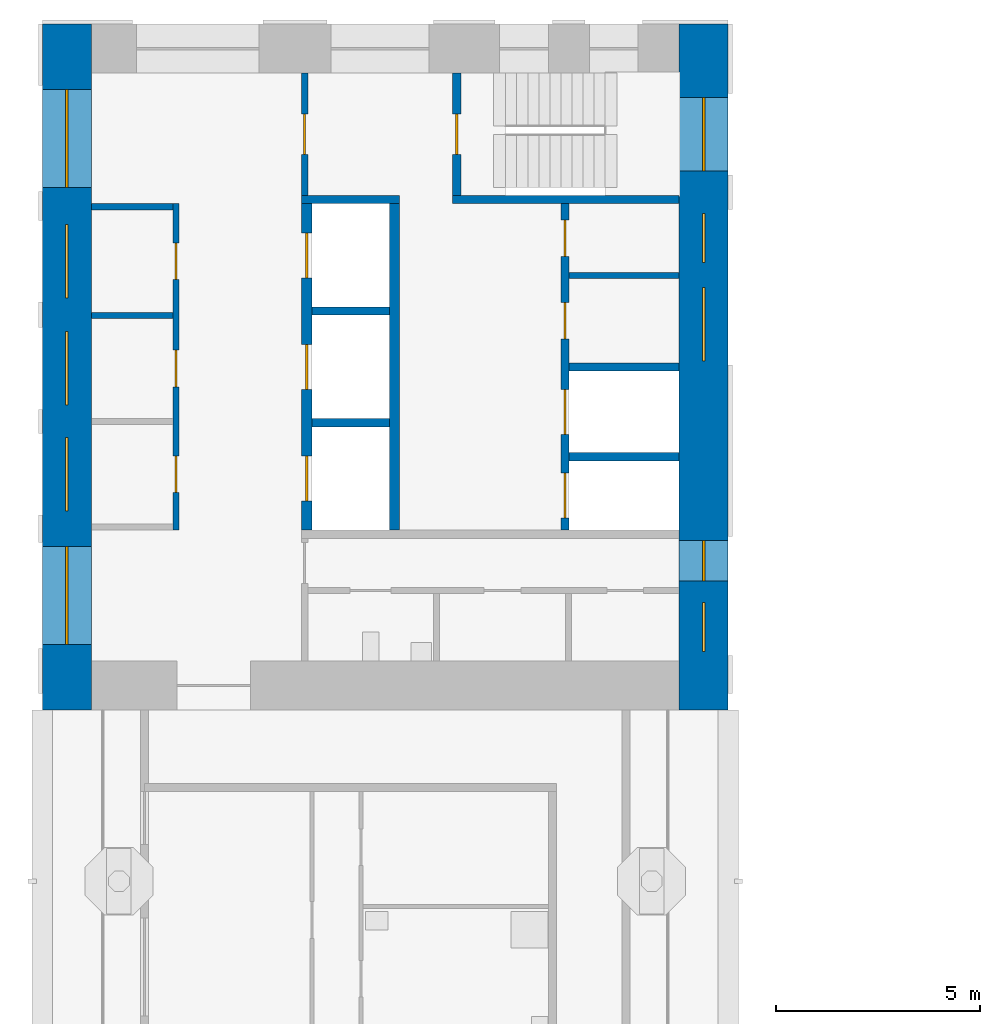
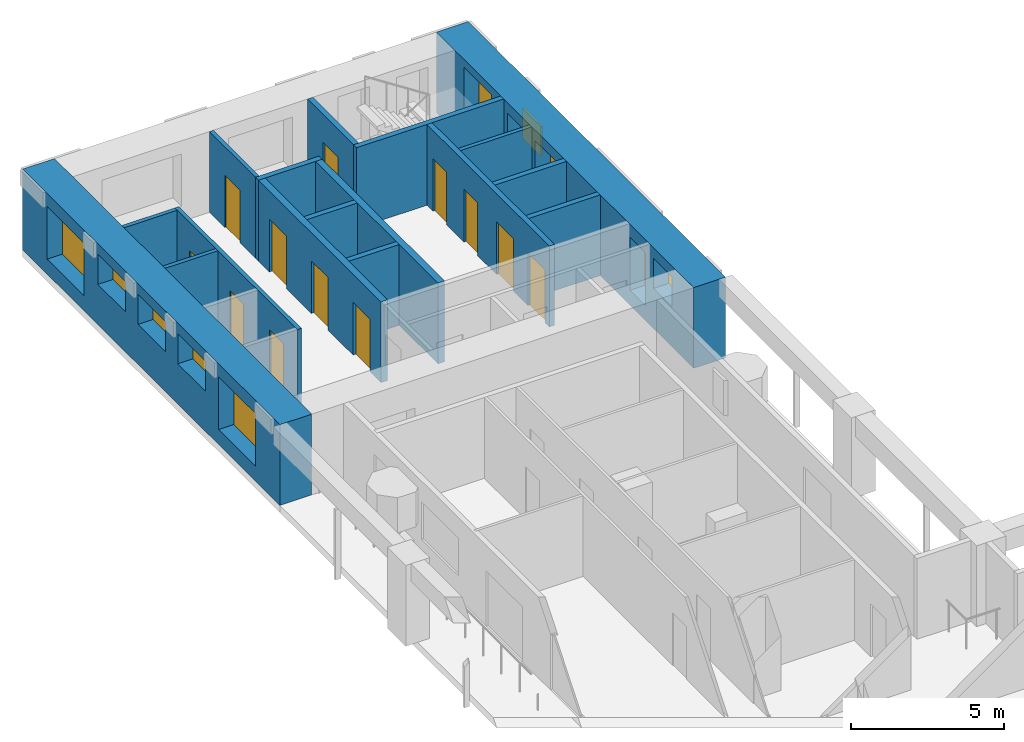
# One storey, part 6 of 13: 17 walls, 12 doors, 10 windows, 22 openings.
"""IFC4 building model written with IfcOpenShell, lengths in metres."""

from ifc_helpers import new_model, si_unit, direction, frame, frame_2d, origin, place, context, subcontext, project, spatial, rectangle, extrude, material, layer, layer_set, type_object, element, fill, save


model = new_model("IFC4")

# Units and contexts
model_context = context("Model", 3, precision=1e-05, world=origin(), true_north=direction((0.0, 1.0)))
body_context = subcontext(model_context, "Body", "Model", "MODEL_VIEW")
ifc_project = project(units=[si_unit("LENGTHUNIT", "METRE"), si_unit("AREAUNIT", "SQUARE_METRE"), si_unit("VOLUMEUNIT", "CUBIC_METRE"), si_unit("PLANEANGLEUNIT", "RADIAN"), si_unit("MASSUNIT", "GRAM", prefix="KILO")], contexts=[model_context])

# Site, building, storey
site_placement = place(None, origin())
site = spatial("IfcSite", under=ifc_project, at=site_placement, CompositionType="ELEMENT")
building_placement = place(site_placement, origin())
building = spatial("IfcBuilding", under=site, at=building_placement, Name="Vermilion Gate Residences", CompositionType="ELEMENT")
storey_placement = place(building_placement, frame((0.0, 0.0, 193.199951171875)))
storey = spatial("IfcBuildingStorey", under=building, at=storey_placement, Name="L50", CompositionType="ELEMENT", Elevation=193.199951171875)

# Walls
ifc_material_1 = material(Name="Masonry blockwork", Category="masonry")
ifc_layer_1 = layer(ifc_material_1, 0.14990234375)
ifc_layer_set_1 = layer_set([ifc_layer_1], Name="BLOCKWORK PARTITION 150 EI 120")
wall_type_1 = type_object("IfcWallType", Name="BLOCKWORK PARTITION 150 EI 120", PredefinedType="PARTITIONING", material=ifc_layer_set_1)
for number, where, z_axis, x_axis, name in (
    (1, (9.60009765625, 54.324951171875, 0.0), (0.0, 0.0, 1.0), (1.0, 0.0, 0.0), "Core room partition B50-RW-W"),
    (2, (9.60009765625, 51.658935546875, 0.0), (0.0, 0.0, 1.0), (1.0, 0.0, 0.0), "Core room partition B50-SR-P0"),
):
    element("IfcWall", number, at=place(storey_placement, frame(where, z_axis=z_axis, x_axis=x_axis)), inside=storey, type_object=wall_type_1, Name=name, PredefinedType="PARTITIONING", context=body_context, shape_type="SweptSolid", body=[
        extrude(rectangle(XDim=2.0, YDim=0.14990234375, at=frame_2d((1.0, 0.0))), origin(), (0.0, 0.0, 1.0), 3.219970703125),
    ])

# Wall, openings, doors
wall_1_placement = place(storey_placement, frame((11.675048828125, 54.39990234375, 0.0), z_axis=(0.0, 0.0, 1.0), x_axis=(0.0, -1.0, 0.0)))
wall_1 = element("IfcWall", 3, at=wall_1_placement, inside=storey, type_object=wall_type_1, Name="Core room partition B50-LR-F", PredefinedType="PARTITIONING", context=body_context, shape_type="SweptSolid", body=[
    extrude(rectangle(XDim=8.0, YDim=0.14990234375, at=frame_2d((4.0, 0.0))), origin(), (0.0, 0.0, 1.0), 3.219970703125),
])
opening_1_placement = place(wall_1_placement, frame((0.9580078125, 0.0, 0.0)))
opening_1 = element("IfcOpeningElement", 4, at=opening_1_placement, cuts=wall_1, Name="Opening DK50102", PredefinedType="OPENING", context=body_context, shape_type="SweptSolid", body=[
    extrude(rectangle(XDim=0.89990234375, YDim=2.10009765625, at=frame_2d((0.449951171875, 1.050048828125))), frame((0.0, 0.0849609375, 0.0), z_axis=(0.0, -1.0, 0.0), x_axis=(1.0, 0.0, 0.0)), (0.0, 0.0, 1.0), 0.169921875),
])
opening_2_placement = place(wall_1_placement, frame((3.5869140625, 0.0, 0.0)))
opening_2 = element("IfcOpeningElement", 5, at=opening_2_placement, cuts=wall_1, Name="Opening DK50103", PredefinedType="OPENING", context=body_context, shape_type="SweptSolid", body=[
    extrude(rectangle(XDim=0.89990234375, YDim=2.10009765625, at=frame_2d((0.449951171875, 1.050048828125))), frame((0.0, 0.0849609375, 0.0), z_axis=(0.0, -1.0, 0.0), x_axis=(1.0, 0.0, 0.0)), (0.0, 0.0, 1.0), 0.169921875),
])
opening_3_placement = place(wall_1_placement, frame((6.178955078125, 0.0, 0.0)))
opening_3 = element("IfcOpeningElement", 6, at=opening_3_placement, cuts=wall_1, Name="Opening DK50104", PredefinedType="OPENING", context=body_context, shape_type="SweptSolid", body=[
    extrude(rectangle(XDim=0.89990234375, YDim=2.10009765625, at=frame_2d((0.449951171875, 1.050048828125))), frame((0.0, 0.0849609375, 0.0), z_axis=(0.0, -1.0, 0.0), x_axis=(1.0, 0.0, 0.0)), (0.0, 0.0, 1.0), 0.169921875),
])
ifc_material_2 = material(Name="Steel", Category="steel")
door_type_1 = type_object("IfcDoorType", Name="SERVICE ROOM DOOR FD60 900 X 2100", OperationType="SINGLE_SWING_LEFT", PredefinedType="DOOR", material=ifc_material_2)
door_1_placement = place(opening_1_placement, origin())
door_1 = element("IfcDoor", 7, at=door_1_placement, inside=storey, type_object=door_type_1, Name="Electrical room B50", OperationType="SINGLE_SWING_LEFT", OverallHeight=2.10009765625, OverallWidth=0.89990234375, PredefinedType="DOOR", context=body_context, shape_type="SweptSolid", body=[
    extrude(rectangle(XDim=0.89990234375, YDim=2.10009765625, at=frame_2d((0.449951171875, 1.050048828125))), frame((0.0, 0.02490234375, 0.0), z_axis=(0.0, -1.0, 0.0), x_axis=(1.0, 0.0, 0.0)), (0.0, 0.0, 1.0), 0.050048828125),
])
fill(opening_1, door_1)
door_2_placement = place(opening_2_placement, frame((0.89990234375, 0.0, 0.0), z_axis=(0.0, 0.0, 1.0), x_axis=(-1.0, 0.0, 0.0)))
door_2 = element("IfcDoor", 8, at=door_2_placement, inside=storey, type_object=door_type_1, Name="Communications room B50", OperationType="SINGLE_SWING_LEFT", OverallHeight=2.10009765625, OverallWidth=0.89990234375, PredefinedType="DOOR", context=body_context, shape_type="SweptSolid", body=[
    extrude(rectangle(XDim=0.89990234375, YDim=2.10009765625, at=frame_2d((0.449951171875, 1.050048828125))), frame((0.0, 0.02490234375, 0.0), z_axis=(0.0, -1.0, 0.0), x_axis=(1.0, 0.0, 0.0)), (0.0, 0.0, 1.0), 0.050048828125),
])
fill(opening_2, door_2)
door_3_placement = place(opening_3_placement, frame((0.89990234375, 0.0, 0.0), z_axis=(0.0, 0.0, 1.0), x_axis=(-1.0, 0.0, 0.0)))
door_3 = element("IfcDoor", 9, at=door_3_placement, inside=storey, type_object=door_type_1, Name="Refuse room B50", OperationType="SINGLE_SWING_LEFT", OverallHeight=2.10009765625, OverallWidth=0.89990234375, PredefinedType="DOOR", context=body_context, shape_type="SweptSolid", body=[
    extrude(rectangle(XDim=0.89990234375, YDim=2.10009765625, at=frame_2d((0.449951171875, 1.050048828125))), frame((0.0, 0.02490234375, 0.0), z_axis=(0.0, -1.0, 0.0), x_axis=(1.0, 0.0, 0.0)), (0.0, 0.0, 1.0), 0.050048828125),
])
fill(opening_3, door_3)

# Wall
wall_2_placement = place(storey_placement, frame((21.300048828125, 52.637451171875, 0.0), z_axis=(0.0, 0.0, 1.0), x_axis=(1.0, 0.0, 0.0)))
element("IfcWall", 10, at=wall_2_placement, inside=storey, type_object=wall_type_1, Name="Core room partition B50-NR-P0", PredefinedType="PARTITIONING", context=body_context, shape_type="SweptSolid", body=[
    extrude(rectangle(XDim=2.699951171875, YDim=0.14990234375, at=frame_2d((1.35009765625, 0.0))), origin(), (0.0, 0.0, 1.0), 3.219970703125),
])

# Wall, opening, door
wall_3_placement = place(storey_placement, frame((14.824951171875, 57.60009765625, 0.0), z_axis=(0.0, 0.0, 1.0), x_axis=(0.0, -1.0, 0.0)))
wall_3 = element("IfcWall", 11, at=wall_3_placement, inside=storey, type_object=wall_type_1, Name="Core room partition B50-VW-S", PredefinedType="PARTITIONING", context=body_context, shape_type="SweptSolid", body=[
    extrude(rectangle(XDim=3.0, YDim=0.14990234375, at=frame_2d((1.5, 0.0))), origin(), (0.0, 0.0, 1.0), 3.219970703125),
])
opening_4_placement = place(wall_3_placement, frame((1.0, 0.0, 0.0)))
opening_4 = element("IfcOpeningElement", 12, at=opening_4_placement, cuts=wall_3, Name="Opening DK50112", PredefinedType="OPENING", context=body_context, shape_type="SweptSolid", body=[
    extrude(rectangle(XDim=1.0, YDim=2.10009765625, at=frame_2d((0.5, 1.050048828125))), frame((0.0, 0.0849609375, 0.0), z_axis=(0.0, -1.0, 0.0), x_axis=(1.0, 0.0, 0.0)), (0.0, 0.0, 1.0), 0.169921875),
])
ifc_material_3 = material(Name="Steel", Category="steel")
door_type_2 = type_object("IfcDoorType", Name="FIRE DOOR FD60 1000 X 2100", OperationType="SINGLE_SWING_LEFT", PredefinedType="DOOR", material=ifc_material_3)
door_4_placement = place(opening_4_placement, frame((1.0, 0.0, 0.0), z_axis=(0.0, 0.0, 1.0), x_axis=(-1.0, 0.0, 0.0)))
door_4 = element("IfcDoor", 13, at=door_4_placement, inside=storey, type_object=door_type_2, Name="Stair vestibule door B50", OperationType="SINGLE_SWING_RIGHT", OverallHeight=2.10009765625, OverallWidth=1.0, PredefinedType="DOOR", context=body_context, shape_type="SweptSolid", body=[
    extrude(rectangle(XDim=1.0, YDim=2.10009765625, at=frame_2d((0.5, 1.050048828125))), frame((0.0, 0.02490234375, 0.0), z_axis=(0.0, -1.0, 0.0), x_axis=(1.0, 0.0, 0.0)), (0.0, 0.0, 1.0), 0.050048828125),
])
fill(opening_4, door_4)

# Walls
ifc_material_4 = material(Name="Concrete C60", Category="concrete")
ifc_layer_2 = layer(ifc_material_4, 0.199951171875)
ifc_layer_set_2 = layer_set([ifc_layer_2], Name="RC CORE INTERNAL WALL 200 C60")
wall_type_2 = type_object("IfcWallType", Name="RC CORE INTERNAL WALL 200 C60", PredefinedType="SHEAR", material=ifc_layer_set_2)
for number, where, z_axis, x_axis, name in (
    (14, (15.0, 51.7666015625, 0.0), (0.0, 0.0, 1.0), (1.0, 0.0, 0.0), "Core internal wall B50-HR-D1"),
    (15, (15.0, 49.033447265625, 0.0), (0.0, 0.0, 1.0), (1.0, 0.0, 0.0), "Core internal wall B50-HR-D2"),
):
    element("IfcWall", number, at=place(storey_placement, frame(where, z_axis=z_axis, x_axis=x_axis)), inside=storey, type_object=wall_type_2, Name=name, PredefinedType="SHEAR", context=body_context, shape_type="SweptSolid", body=[
        extrude(rectangle(XDim=1.89990234375, YDim=0.199951171875, at=frame_2d((0.949951171875, 0.0))), origin(), (0.0, 0.0, 1.0), 3.219970703125),
    ])
for number, where, z_axis, x_axis, name in (
    (16, (21.300048828125, 50.39990234375, 0.0), (0.0, 0.0, 1.0), (1.0, 0.0, 0.0), "Core internal wall B50-FF-D0"),
    (17, (21.300048828125, 48.199951171875, 0.0), (0.0, 0.0, 1.0), (1.0, 0.0, 0.0), "Core internal wall B50-FF-D1"),
):
    element("IfcWall", number, at=place(storey_placement, frame(where, z_axis=z_axis, x_axis=x_axis)), inside=storey, type_object=wall_type_2, Name=name, PredefinedType="SHEAR", context=body_context, shape_type="SweptSolid", body=[
        extrude(rectangle(XDim=2.699951171875, YDim=0.199951171875, at=frame_2d((1.35009765625, 0.0))), origin(), (0.0, 0.0, 1.0), 3.219970703125),
    ])

# Wall, openings, doors
wall_4_placement = place(storey_placement, frame((21.199951171875, 54.39990234375, 0.0), z_axis=(0.0, 0.0, 1.0), x_axis=(0.0, -1.0, 0.0)))
wall_4 = element("IfcWall", 18, at=wall_4_placement, inside=storey, type_object=wall_type_2, Name="Core internal wall B50-FF-F", PredefinedType="SHEAR", context=body_context, shape_type="SweptSolid", body=[
    extrude(rectangle(XDim=8.0, YDim=0.199951171875, at=frame_2d((4.0, 0.0))), origin(), (0.0, 0.0, 1.0), 3.219970703125),
])
opening_5_placement = place(wall_4_placement, frame((0.393798828125, 0.0, 0.0)))
opening_5 = element("IfcOpeningElement", 19, at=opening_5_placement, cuts=wall_4, Name="Opening DK50108", PredefinedType="OPENING", context=body_context, shape_type="SweptSolid", body=[
    extrude(rectangle(XDim=0.89990234375, YDim=2.10009765625, at=frame_2d((0.449951171875, 1.050048828125))), frame((0.0, 0.10986328125, 0.0), z_axis=(0.0, -1.0, 0.0), x_axis=(1.0, 0.0, 0.0)), (0.0, 0.0, 1.0), 0.219970703125),
])
opening_6_placement = place(wall_4_placement, frame((2.418701171875, 0.0, 0.0)))
opening_6 = element("IfcOpeningElement", 20, at=opening_6_placement, cuts=wall_4, Name="Opening DK50109", PredefinedType="OPENING", context=body_context, shape_type="SweptSolid", body=[
    extrude(rectangle(XDim=0.89990234375, YDim=2.10009765625, at=frame_2d((0.449951171875, 1.050048828125))), frame((0.0, 0.10986328125, 0.0), z_axis=(0.0, -1.0, 0.0), x_axis=(1.0, 0.0, 0.0)), (0.0, 0.0, 1.0), 0.219970703125),
])
opening_7_placement = place(wall_4_placement, frame((4.550048828125, 0.0, 0.0)))
opening_7 = element("IfcOpeningElement", 21, at=opening_7_placement, cuts=wall_4, Name="Opening LD", PredefinedType="OPENING", context=body_context, shape_type="SweptSolid", body=[
    extrude(rectangle(XDim=1.10009765625, YDim=2.10009765625, at=frame_2d((0.550048828125, 1.050048828125))), frame((0.0, 0.10986328125, 0.0), z_axis=(0.0, -1.0, 0.0), x_axis=(1.0, 0.0, 0.0)), (0.0, 0.0, 1.0), 0.219970703125),
])
opening_8_placement = place(wall_4_placement, frame((6.60009765625, 0.0, 0.0)))
opening_8 = element("IfcOpeningElement", 22, at=opening_8_placement, cuts=wall_4, Name="Opening LD", PredefinedType="OPENING", context=body_context, shape_type="SweptSolid", body=[
    extrude(rectangle(XDim=1.10009765625, YDim=2.10009765625, at=frame_2d((0.550048828125, 1.050048828125))), frame((0.0, 0.10986328125, 0.0), z_axis=(0.0, -1.0, 0.0), x_axis=(1.0, 0.0, 0.0)), (0.0, 0.0, 1.0), 0.219970703125),
])
ifc_material_5 = material(Name="Stainless steel", Category="steel")
door_type_3 = type_object("IfcDoorType", Name="LIFT LANDING DOOR E60 1100 X 2100", OperationType="DOUBLE_DOOR_SLIDING", PredefinedType="DOOR", material=ifc_material_5)
door_5_placement = place(opening_7_placement, origin())
door_5 = element("IfcDoor", 23, at=door_5_placement, inside=storey, type_object=door_type_3, Name="Lift landing door LFB1", OperationType="DOUBLE_DOOR_SLIDING", OverallHeight=2.10009765625, OverallWidth=1.10009765625, PredefinedType="DOOR", context=body_context, shape_type="SweptSolid", body=[
    extrude(rectangle(XDim=1.10009765625, YDim=2.10009765625, at=frame_2d((0.550048828125, 1.050048828125))), frame((0.0, 0.02490234375, 0.0), z_axis=(0.0, -1.0, 0.0), x_axis=(1.0, 0.0, 0.0)), (0.0, 0.0, 1.0), 0.050048828125),
])
fill(opening_7, door_5)
door_6_placement = place(opening_8_placement, origin())
door_6 = element("IfcDoor", 24, at=door_6_placement, inside=storey, type_object=door_type_3, Name="Lift landing door LCB1", OperationType="DOUBLE_DOOR_SLIDING", OverallHeight=2.10009765625, OverallWidth=1.10009765625, PredefinedType="DOOR", context=body_context, shape_type="SweptSolid", body=[
    extrude(rectangle(XDim=1.10009765625, YDim=2.10009765625, at=frame_2d((0.550048828125, 1.050048828125))), frame((0.0, 0.02490234375, 0.0), z_axis=(0.0, -1.0, 0.0), x_axis=(1.0, 0.0, 0.0)), (0.0, 0.0, 1.0), 0.050048828125),
])
fill(opening_8, door_6)
door_7_placement = place(opening_5_placement, origin())
door_7 = element("IfcDoor", 25, at=door_7_placement, inside=storey, type_object=door_type_1, Name="Electrical riser B50", OperationType="SINGLE_SWING_RIGHT", OverallHeight=2.10009765625, OverallWidth=0.89990234375, PredefinedType="DOOR", context=body_context, shape_type="SweptSolid", body=[
    extrude(rectangle(XDim=0.89990234375, YDim=2.10009765625, at=frame_2d((0.449951171875, 1.050048828125))), frame((0.0, 0.02490234375, 0.0), z_axis=(0.0, -1.0, 0.0), x_axis=(1.0, 0.0, 0.0)), (0.0, 0.0, 1.0), 0.050048828125),
])
fill(opening_5, door_7)
door_8_placement = place(opening_6_placement, origin())
door_8 = element("IfcDoor", 26, at=door_8_placement, inside=storey, type_object=door_type_1, Name="Cleaner's store B50", OperationType="SINGLE_SWING_RIGHT", OverallHeight=2.10009765625, OverallWidth=0.89990234375, PredefinedType="DOOR", context=body_context, shape_type="SweptSolid", body=[
    extrude(rectangle(XDim=0.89990234375, YDim=2.10009765625, at=frame_2d((0.449951171875, 1.050048828125))), frame((0.0, 0.02490234375, 0.0), z_axis=(0.0, -1.0, 0.0), x_axis=(1.0, 0.0, 0.0)), (0.0, 0.0, 1.0), 0.050048828125),
])
fill(opening_6, door_8)

# Walls
wall_5_placement = place(storey_placement, frame((14.75, 54.5, 0.0), z_axis=(0.0, 0.0, 1.0), x_axis=(1.0, 0.0, 0.0)))
element("IfcWall", 27, at=wall_5_placement, inside=storey, type_object=wall_type_2, Name="Core internal wall B50-WDIV1", PredefinedType="SHEAR", context=body_context, shape_type="SweptSolid", body=[
    extrude(rectangle(XDim=2.39990234375, YDim=0.199951171875, at=frame_2d((1.199951171875, 0.0))), origin(), (0.0, 0.0, 1.0), 3.219970703125),
])
wall_6_placement = place(storey_placement, frame((18.449951171875, 54.5, 0.0), z_axis=(0.0, 0.0, 1.0), x_axis=(1.0, 0.0, 0.0)))
element("IfcWall", 28, at=wall_6_placement, inside=storey, type_object=wall_type_2, Name="Core internal wall B50-WDIV2", PredefinedType="SHEAR", context=body_context, shape_type="SweptSolid", body=[
    extrude(rectangle(XDim=5.550048828125, YDim=0.199951171875, at=frame_2d((2.77490234375, 0.0))), origin(), (0.0, 0.0, 1.0), 3.219970703125),
])

# Wall, opening, door
wall_7_placement = place(storey_placement, frame((18.550048828125, 57.60009765625, 0.0), z_axis=(0.0, 0.0, 1.0), x_axis=(0.0, -1.0, 0.0)))
wall_7 = element("IfcWall", 29, at=wall_7_placement, inside=storey, type_object=wall_type_2, Name="Core internal wall B50-STW-S", PredefinedType="SHEAR", context=body_context, shape_type="SweptSolid", body=[
    extrude(rectangle(XDim=3.0, YDim=0.199951171875, at=frame_2d((1.5, 0.0))), origin(), (0.0, 0.0, 1.0), 3.219970703125),
])
opening_9_placement = place(wall_7_placement, frame((1.0, 0.0, 0.0)))
opening_9 = element("IfcOpeningElement", 30, at=opening_9_placement, cuts=wall_7, Name="Opening DK50113", PredefinedType="OPENING", context=body_context, shape_type="SweptSolid", body=[
    extrude(rectangle(XDim=1.0, YDim=2.10009765625, at=frame_2d((0.5, 1.050048828125))), frame((0.0, 0.10986328125, 0.0), z_axis=(0.0, -1.0, 0.0), x_axis=(1.0, 0.0, 0.0)), (0.0, 0.0, 1.0), 0.219970703125),
])
door_9_placement = place(opening_9_placement, origin())
door_9 = element("IfcDoor", 31, at=door_9_placement, inside=storey, type_object=door_type_2, Name="Stair door B50", OperationType="SINGLE_SWING_LEFT", OverallHeight=2.10009765625, OverallWidth=1.0, PredefinedType="DOOR", context=body_context, shape_type="SweptSolid", body=[
    extrude(rectangle(XDim=1.0, YDim=2.10009765625, at=frame_2d((0.5, 1.050048828125))), frame((0.0, 0.02490234375, 0.0), z_axis=(0.0, -1.0, 0.0), x_axis=(1.0, 0.0, 0.0)), (0.0, 0.0, 1.0), 0.050048828125),
])
fill(opening_9, door_9)

# Wall, openings, windows
ifc_material_6 = material(Name="Concrete C60 red-oxide pigmented", Category="concrete")
ifc_layer_3 = layer(ifc_material_6, 1.199951171875)
ifc_layer_set_3 = layer_set([ifc_layer_3], Name="RC CORE WALL 1200 C60 RED OXIDE")
wall_type_3 = type_object("IfcWallType", Name="RC CORE WALL 1200 C60 RED OXIDE", PredefinedType="SHEAR", material=ifc_layer_set_3)
wall_8_placement = place(storey_placement, frame((9.0, 58.800048828125, 0.0), z_axis=(0.0, 0.0, 1.0), x_axis=(0.0, -1.0, 0.0)))
wall_8 = element("IfcWall", 32, at=wall_8_placement, inside=storey, type_object=wall_type_3, Name="Core wall B50-OUT-B0", PredefinedType="SHEAR", context=body_context, shape_type="SweptSolid", body=[
    extrude(rectangle(XDim=16.800048828125, YDim=1.199951171875, at=frame_2d((8.39990234375, 0.0))), origin(), (0.0, 0.0, 1.0), 3.219970703125),
])
opening_10_placement = place(wall_8_placement, frame((1.60009765625, 0.0, 0.60009765625)))
opening_10 = element("IfcOpeningElement", 33, at=opening_10_placement, cuts=wall_8, Name="Opening WKB5001", PredefinedType="OPENING", context=body_context, shape_type="SweptSolid", body=[
    extrude(rectangle(XDim=2.39990234375, YDim=2.10009765625, at=frame_2d((1.199951171875, 1.050048828125))), frame((0.0, 0.60986328125, 0.0), z_axis=(0.0, -1.0, 0.0), x_axis=(1.0, 0.0, 0.0)), (0.0, 0.0, 1.0), 1.219970703125),
])
opening_11_placement = place(wall_8_placement, frame((4.907958984375, 0.0, 1.60009765625)))
opening_11 = element("IfcOpeningElement", 34, at=opening_11_placement, cuts=wall_8, Name="Opening WKB5002", PredefinedType="OPENING", context=body_context, shape_type="SweptSolid", body=[
    extrude(rectangle(XDim=1.800048828125, YDim=1.199951171875, at=frame_2d((0.89990234375, 0.60009765625))), frame((0.0, 0.60986328125, 0.0), z_axis=(0.0, -1.0, 0.0), x_axis=(1.0, 0.0, 0.0)), (0.0, 0.0, 1.0), 1.219970703125),
])
opening_12_placement = place(wall_8_placement, frame((7.537109375, 0.0, 1.60009765625)))
opening_12 = element("IfcOpeningElement", 35, at=opening_12_placement, cuts=wall_8, Name="Opening WKB5003", PredefinedType="OPENING", context=body_context, shape_type="SweptSolid", body=[
    extrude(rectangle(XDim=1.800048828125, YDim=1.199951171875, at=frame_2d((0.89990234375, 0.60009765625))), frame((0.0, 0.60986328125, 0.0), z_axis=(0.0, -1.0, 0.0), x_axis=(1.0, 0.0, 0.0)), (0.0, 0.0, 1.0), 1.219970703125),
])
opening_13_placement = place(wall_8_placement, frame((10.12890625, 0.0, 1.60009765625)))
opening_13 = element("IfcOpeningElement", 36, at=opening_13_placement, cuts=wall_8, Name="Opening WKB5004", PredefinedType="OPENING", context=body_context, shape_type="SweptSolid", body=[
    extrude(rectangle(XDim=1.800048828125, YDim=1.199951171875, at=frame_2d((0.89990234375, 0.60009765625))), frame((0.0, 0.60986328125, 0.0), z_axis=(0.0, -1.0, 0.0), x_axis=(1.0, 0.0, 0.0)), (0.0, 0.0, 1.0), 1.219970703125),
])
opening_14_placement = place(wall_8_placement, frame((12.800048828125, 0.0, 0.60009765625)))
opening_14 = element("IfcOpeningElement", 37, at=opening_14_placement, cuts=wall_8, Name="Opening WKB5005", PredefinedType="OPENING", context=body_context, shape_type="SweptSolid", body=[
    extrude(rectangle(XDim=2.39990234375, YDim=2.10009765625, at=frame_2d((1.199951171875, 1.050048828125))), frame((0.0, 0.60986328125, 0.0), z_axis=(0.0, -1.0, 0.0), x_axis=(1.0, 0.0, 0.0)), (0.0, 0.0, 1.0), 1.219970703125),
])
ifc_material_7 = material(Name="Aluminium and clear glass", Category="aluminium")
window_type_1 = type_object("IfcWindowType", Name="CORE LOBBY WINDOW 2400 X 2100", PartitioningType="SINGLE_PANEL", PredefinedType="WINDOW", material=ifc_material_7)
window_1_placement = place(opening_10_placement, origin())
window_1 = element("IfcWindow", 38, at=window_1_placement, inside=storey, type_object=window_type_1, Name="Core lobby window", OverallHeight=2.10009765625, OverallWidth=2.39990234375, PartitioningType="SINGLE_PANEL", PredefinedType="WINDOW", context=body_context, shape_type="SweptSolid", body=[
    extrude(rectangle(XDim=2.39990234375, YDim=2.10009765625, at=frame_2d((1.199951171875, 1.050048828125))), frame((0.0, 0.030029296875, 0.0), z_axis=(0.0, -1.0, 0.0), x_axis=(1.0, 0.0, 0.0)), (0.0, 0.0, 1.0), 0.06005859375),
])
fill(opening_10, window_1)
window_2_placement = place(opening_14_placement, origin())
window_2 = element("IfcWindow", 39, at=window_2_placement, inside=storey, type_object=window_type_1, Name="Core lobby window", OverallHeight=2.10009765625, OverallWidth=2.39990234375, PartitioningType="SINGLE_PANEL", PredefinedType="WINDOW", context=body_context, shape_type="SweptSolid", body=[
    extrude(rectangle(XDim=2.39990234375, YDim=2.10009765625, at=frame_2d((1.199951171875, 1.050048828125))), frame((0.0, 0.030029296875, 0.0), z_axis=(0.0, -1.0, 0.0), x_axis=(1.0, 0.0, 0.0)), (0.0, 0.0, 1.0), 0.06005859375),
])
fill(opening_14, window_2)
ifc_material_8 = material(Name="Aluminium frame with louvre blades", Category="aluminium")
window_type_2 = type_object("IfcWindowType", Name="CORE LOUVRE 1800 X 1200", PartitioningType="SINGLE_PANEL", PredefinedType="WINDOW", material=ifc_material_8)
window_3_placement = place(opening_11_placement, origin())
window_3 = element("IfcWindow", 40, at=window_3_placement, inside=storey, type_object=window_type_2, Name="Core louvre", OverallHeight=1.199951171875, OverallWidth=1.800048828125, PartitioningType="SINGLE_PANEL", PredefinedType="WINDOW", context=body_context, shape_type="SweptSolid", body=[
    extrude(rectangle(XDim=1.800048828125, YDim=1.199951171875, at=frame_2d((0.89990234375, 0.60009765625))), frame((0.0, 0.030029296875, 0.0), z_axis=(0.0, -1.0, 0.0), x_axis=(1.0, 0.0, 0.0)), (0.0, 0.0, 1.0), 0.06005859375),
])
fill(opening_11, window_3)
window_4_placement = place(opening_12_placement, origin())
window_4 = element("IfcWindow", 41, at=window_4_placement, inside=storey, type_object=window_type_2, Name="Core louvre", OverallHeight=1.199951171875, OverallWidth=1.800048828125, PartitioningType="SINGLE_PANEL", PredefinedType="WINDOW", context=body_context, shape_type="SweptSolid", body=[
    extrude(rectangle(XDim=1.800048828125, YDim=1.199951171875, at=frame_2d((0.89990234375, 0.60009765625))), frame((0.0, 0.030029296875, 0.0), z_axis=(0.0, -1.0, 0.0), x_axis=(1.0, 0.0, 0.0)), (0.0, 0.0, 1.0), 0.06005859375),
])
fill(opening_12, window_4)
window_5_placement = place(opening_13_placement, origin())
window_5 = element("IfcWindow", 42, at=window_5_placement, inside=storey, type_object=window_type_2, Name="Core louvre", OverallHeight=1.199951171875, OverallWidth=1.800048828125, PartitioningType="SINGLE_PANEL", PredefinedType="WINDOW", context=body_context, shape_type="SweptSolid", body=[
    extrude(rectangle(XDim=1.800048828125, YDim=1.199951171875, at=frame_2d((0.89990234375, 0.60009765625))), frame((0.0, 0.030029296875, 0.0), z_axis=(0.0, -1.0, 0.0), x_axis=(1.0, 0.0, 0.0)), (0.0, 0.0, 1.0), 0.06005859375),
])
fill(opening_13, window_5)

wall_9_placement = place(storey_placement, frame((24.60009765625, 58.800048828125, 0.0), z_axis=(0.0, 0.0, 1.0), x_axis=(0.0, -1.0, 0.0)))
wall_9 = element("IfcWall", 43, at=wall_9_placement, inside=storey, type_object=wall_type_3, Name="Core wall B50-OUT-B1", PredefinedType="SHEAR", context=body_context, shape_type="SweptSolid", body=[
    extrude(rectangle(XDim=16.800048828125, YDim=1.199951171875, at=frame_2d((8.39990234375, 0.0))), origin(), (0.0, 0.0, 1.0), 3.219970703125),
])
opening_15_placement = place(wall_9_placement, frame((1.800048828125, 0.0, 0.5)))
opening_15 = element("IfcOpeningElement", 44, at=opening_15_placement, cuts=wall_9, Name="Opening WKB5006", PredefinedType="OPENING", context=body_context, shape_type="SweptSolid", body=[
    extrude(rectangle(XDim=1.800048828125, YDim=2.39990234375, at=frame_2d((0.89990234375, 1.199951171875))), frame((0.0, 0.60986328125, 0.0), z_axis=(0.0, -1.0, 0.0), x_axis=(1.0, 0.0, 0.0)), (0.0, 0.0, 1.0), 1.219970703125),
])
opening_16_placement = place(wall_9_placement, frame((4.643798828125, 0.0, 1.60009765625)))
opening_16 = element("IfcOpeningElement", 45, at=opening_16_placement, cuts=wall_9, Name="Opening WKB5007", PredefinedType="OPENING", context=body_context, shape_type="SweptSolid", body=[
    extrude(rectangle(XDim=1.199951171875, YDim=1.199951171875, at=frame_2d((0.60009765625, 0.60009765625))), frame((0.0, 0.60986328125, 0.0), z_axis=(0.0, -1.0, 0.0), x_axis=(1.0, 0.0, 0.0)), (0.0, 0.0, 1.0), 1.219970703125),
])
opening_17_placement = place(wall_9_placement, frame((6.449951171875, 0.0, 1.60009765625)))
opening_17 = element("IfcOpeningElement", 46, at=opening_17_placement, cuts=wall_9, Name="Opening WKB5008", PredefinedType="OPENING", context=body_context, shape_type="SweptSolid", body=[
    extrude(rectangle(XDim=1.800048828125, YDim=1.199951171875, at=frame_2d((0.89990234375, 0.60009765625))), frame((0.0, 0.60986328125, 0.0), z_axis=(0.0, -1.0, 0.0), x_axis=(1.0, 0.0, 0.0)), (0.0, 0.0, 1.0), 1.219970703125),
])
opening_18_placement = place(wall_9_placement, frame((12.64990234375, 0.0, 0.60009765625)))
opening_18 = element("IfcOpeningElement", 47, at=opening_18_placement, cuts=wall_9, Name="Opening WKB5009", PredefinedType="OPENING", context=body_context, shape_type="SweptSolid", body=[
    extrude(rectangle(XDim=1.0, YDim=2.10009765625, at=frame_2d((0.5, 1.050048828125))), frame((0.0, 0.60986328125, 0.0), z_axis=(0.0, -1.0, 0.0), x_axis=(1.0, 0.0, 0.0)), (0.0, 0.0, 1.0), 1.219970703125),
])
opening_19_placement = place(wall_9_placement, frame((14.175048828125, 0.0, 1.60009765625)))
opening_19 = element("IfcOpeningElement", 48, at=opening_19_placement, cuts=wall_9, Name="Opening WKB5010", PredefinedType="OPENING", context=body_context, shape_type="SweptSolid", body=[
    extrude(rectangle(XDim=1.199951171875, YDim=1.199951171875, at=frame_2d((0.60009765625, 0.60009765625))), frame((0.0, 0.60986328125, 0.0), z_axis=(0.0, -1.0, 0.0), x_axis=(1.0, 0.0, 0.0)), (0.0, 0.0, 1.0), 1.219970703125),
])
ifc_material_9 = material(Name="Aluminium and clear glass", Category="aluminium")
window_type_3 = type_object("IfcWindowType", Name="CORE CORRIDOR WINDOW 1000 X 2100", PartitioningType="SINGLE_PANEL", PredefinedType="WINDOW", material=ifc_material_9)
window_6_placement = place(opening_18_placement, origin())
window_6 = element("IfcWindow", 49, at=window_6_placement, inside=storey, type_object=window_type_3, Name="Core corridor window", OverallHeight=2.10009765625, OverallWidth=1.0, PartitioningType="SINGLE_PANEL", PredefinedType="WINDOW", context=body_context, shape_type="SweptSolid", body=[
    extrude(rectangle(XDim=1.0, YDim=2.10009765625, at=frame_2d((0.5, 1.050048828125))), frame((0.0, 0.030029296875, 0.0), z_axis=(0.0, -1.0, 0.0), x_axis=(1.0, 0.0, 0.0)), (0.0, 0.0, 1.0), 0.06005859375),
])
fill(opening_18, window_6)
ifc_material_10 = material(Name="Aluminium frame with louvre blades", Category="aluminium")
window_type_4 = type_object("IfcWindowType", Name="CORE LOUVRE 1200 X 1200", PartitioningType="SINGLE_PANEL", PredefinedType="WINDOW", material=ifc_material_10)
window_7_placement = place(opening_16_placement, origin())
window_7 = element("IfcWindow", 50, at=window_7_placement, inside=storey, type_object=window_type_4, Name="Core louvre", OverallHeight=1.199951171875, OverallWidth=1.199951171875, PartitioningType="SINGLE_PANEL", PredefinedType="WINDOW", context=body_context, shape_type="SweptSolid", body=[
    extrude(rectangle(XDim=1.199951171875, YDim=1.199951171875, at=frame_2d((0.60009765625, 0.60009765625))), frame((0.0, 0.030029296875, 0.0), z_axis=(0.0, -1.0, 0.0), x_axis=(1.0, 0.0, 0.0)), (0.0, 0.0, 1.0), 0.06005859375),
])
fill(opening_16, window_7)
window_8_placement = place(opening_19_placement, origin())
window_8 = element("IfcWindow", 51, at=window_8_placement, inside=storey, type_object=window_type_4, Name="Core louvre", OverallHeight=1.199951171875, OverallWidth=1.199951171875, PartitioningType="SINGLE_PANEL", PredefinedType="WINDOW", context=body_context, shape_type="SweptSolid", body=[
    extrude(rectangle(XDim=1.199951171875, YDim=1.199951171875, at=frame_2d((0.60009765625, 0.60009765625))), frame((0.0, 0.030029296875, 0.0), z_axis=(0.0, -1.0, 0.0), x_axis=(1.0, 0.0, 0.0)), (0.0, 0.0, 1.0), 0.06005859375),
])
fill(opening_19, window_8)
window_9_placement = place(opening_17_placement, origin())
window_9 = element("IfcWindow", 52, at=window_9_placement, inside=storey, type_object=window_type_2, Name="Core louvre", OverallHeight=1.199951171875, OverallWidth=1.800048828125, PartitioningType="SINGLE_PANEL", PredefinedType="WINDOW", context=body_context, shape_type="SweptSolid", body=[
    extrude(rectangle(XDim=1.800048828125, YDim=1.199951171875, at=frame_2d((0.89990234375, 0.60009765625))), frame((0.0, 0.030029296875, 0.0), z_axis=(0.0, -1.0, 0.0), x_axis=(1.0, 0.0, 0.0)), (0.0, 0.0, 1.0), 0.06005859375),
])
fill(opening_17, window_9)
ifc_material_11 = material(Name="Aluminium and clear glass", Category="aluminium")
window_type_5 = type_object("IfcWindowType", Name="CORE STAIR WINDOW 1800 X 2400", PartitioningType="SINGLE_PANEL", PredefinedType="WINDOW", material=ifc_material_11)
window_10_placement = place(opening_15_placement, origin())
window_10 = element("IfcWindow", 53, at=window_10_placement, inside=storey, type_object=window_type_5, Name="Core stair window", OverallHeight=2.39990234375, OverallWidth=1.800048828125, PartitioningType="SINGLE_PANEL", PredefinedType="WINDOW", context=body_context, shape_type="SweptSolid", body=[
    extrude(rectangle(XDim=1.800048828125, YDim=2.39990234375, at=frame_2d((0.89990234375, 1.199951171875))), frame((0.0, 0.030029296875, 0.0), z_axis=(0.0, -1.0, 0.0), x_axis=(1.0, 0.0, 0.0)), (0.0, 0.0, 1.0), 0.06005859375),
])
fill(opening_15, window_10)

# Wall, openings, doors
ifc_material_12 = material(Name="Concrete C60", Category="concrete")
ifc_layer_4 = layer(ifc_material_12, 0.25)
ifc_layer_set_4 = layer_set([ifc_layer_4], Name="RC LIFT SHAFT WALL 250 C60")
wall_type_4 = type_object("IfcWallType", Name="RC LIFT SHAFT WALL 250 C60", PredefinedType="SHEAR", material=ifc_layer_set_4)
wall_10_placement = place(storey_placement, frame((14.875, 54.39990234375, 0.0), z_axis=(0.0, 0.0, 1.0), x_axis=(0.0, -1.0, 0.0)))
wall_10 = element("IfcWall", 54, at=wall_10_placement, inside=storey, type_object=wall_type_4, Name="Lift shaft wall B50-HR-F", PredefinedType="SHEAR", context=body_context, shape_type="SweptSolid", body=[
    extrude(rectangle(XDim=8.0, YDim=0.25, at=frame_2d((4.0, 0.0))), origin(), (0.0, 0.0, 1.0), 3.219970703125),
])
opening_20_placement = place(wall_10_placement, frame((0.716552734375, 0.0, 0.0)))
opening_20 = element("IfcOpeningElement", 55, at=opening_20_placement, cuts=wall_10, Name="Opening LD", PredefinedType="OPENING", context=body_context, shape_type="SweptSolid", body=[
    extrude(rectangle(XDim=1.10009765625, YDim=2.10009765625, at=frame_2d((0.550048828125, 1.050048828125))), frame((0.0, 0.135009765625, 0.0), z_axis=(0.0, -1.0, 0.0), x_axis=(1.0, 0.0, 0.0)), (0.0, 0.0, 1.0), 0.27001953125),
])
opening_21_placement = place(wall_10_placement, frame((3.449951171875, 0.0, 0.0)))
opening_21 = element("IfcOpeningElement", 56, at=opening_21_placement, cuts=wall_10, Name="Opening LD", PredefinedType="OPENING", context=body_context, shape_type="SweptSolid", body=[
    extrude(rectangle(XDim=1.10009765625, YDim=2.10009765625, at=frame_2d((0.550048828125, 1.050048828125))), frame((0.0, 0.135009765625, 0.0), z_axis=(0.0, -1.0, 0.0), x_axis=(1.0, 0.0, 0.0)), (0.0, 0.0, 1.0), 0.27001953125),
])
opening_22_placement = place(wall_10_placement, frame((6.183349609375, 0.0, 0.0)))
opening_22 = element("IfcOpeningElement", 57, at=opening_22_placement, cuts=wall_10, Name="Opening LD", PredefinedType="OPENING", context=body_context, shape_type="SweptSolid", body=[
    extrude(rectangle(XDim=1.10009765625, YDim=2.10009765625, at=frame_2d((0.550048828125, 1.050048828125))), frame((0.0, 0.135009765625, 0.0), z_axis=(0.0, -1.0, 0.0), x_axis=(1.0, 0.0, 0.0)), (0.0, 0.0, 1.0), 0.27001953125),
])
door_10_placement = place(opening_20_placement, origin())
door_10 = element("IfcDoor", 58, at=door_10_placement, inside=storey, type_object=door_type_3, Name="Lift landing door HRB1", OperationType="DOUBLE_DOOR_SLIDING", OverallHeight=2.10009765625, OverallWidth=1.10009765625, PredefinedType="DOOR", context=body_context, shape_type="SweptSolid", body=[
    extrude(rectangle(XDim=1.10009765625, YDim=2.10009765625, at=frame_2d((0.550048828125, 1.050048828125))), frame((0.0, 0.02490234375, 0.0), z_axis=(0.0, -1.0, 0.0), x_axis=(1.0, 0.0, 0.0)), (0.0, 0.0, 1.0), 0.050048828125),
])
fill(opening_20, door_10)
door_11_placement = place(opening_21_placement, origin())
door_11 = element("IfcDoor", 59, at=door_11_placement, inside=storey, type_object=door_type_3, Name="Lift landing door HRB2", OperationType="DOUBLE_DOOR_SLIDING", OverallHeight=2.10009765625, OverallWidth=1.10009765625, PredefinedType="DOOR", context=body_context, shape_type="SweptSolid", body=[
    extrude(rectangle(XDim=1.10009765625, YDim=2.10009765625, at=frame_2d((0.550048828125, 1.050048828125))), frame((0.0, 0.02490234375, 0.0), z_axis=(0.0, -1.0, 0.0), x_axis=(1.0, 0.0, 0.0)), (0.0, 0.0, 1.0), 0.050048828125),
])
fill(opening_21, door_11)
door_12_placement = place(opening_22_placement, origin())
door_12 = element("IfcDoor", 60, at=door_12_placement, inside=storey, type_object=door_type_3, Name="Lift landing door HRB3", OperationType="DOUBLE_DOOR_SLIDING", OverallHeight=2.10009765625, OverallWidth=1.10009765625, PredefinedType="DOOR", context=body_context, shape_type="SweptSolid", body=[
    extrude(rectangle(XDim=1.10009765625, YDim=2.10009765625, at=frame_2d((0.550048828125, 1.050048828125))), frame((0.0, 0.02490234375, 0.0), z_axis=(0.0, -1.0, 0.0), x_axis=(1.0, 0.0, 0.0)), (0.0, 0.0, 1.0), 0.050048828125),
])
fill(opening_22, door_12)

# Wall
wall_11_placement = place(storey_placement, frame((17.02490234375, 54.39990234375, 0.0), z_axis=(0.0, 0.0, 1.0), x_axis=(0.0, -1.0, 0.0)))
element("IfcWall", 61, at=wall_11_placement, inside=storey, type_object=wall_type_4, Name="Lift shaft wall B50-HR-B", PredefinedType="SHEAR", context=body_context, shape_type="SweptSolid", body=[
    extrude(rectangle(XDim=8.0, YDim=0.25, at=frame_2d((4.0, 0.0))), origin(), (0.0, 0.0, 1.0), 3.219970703125),
])

save(model, "model.ifc")
